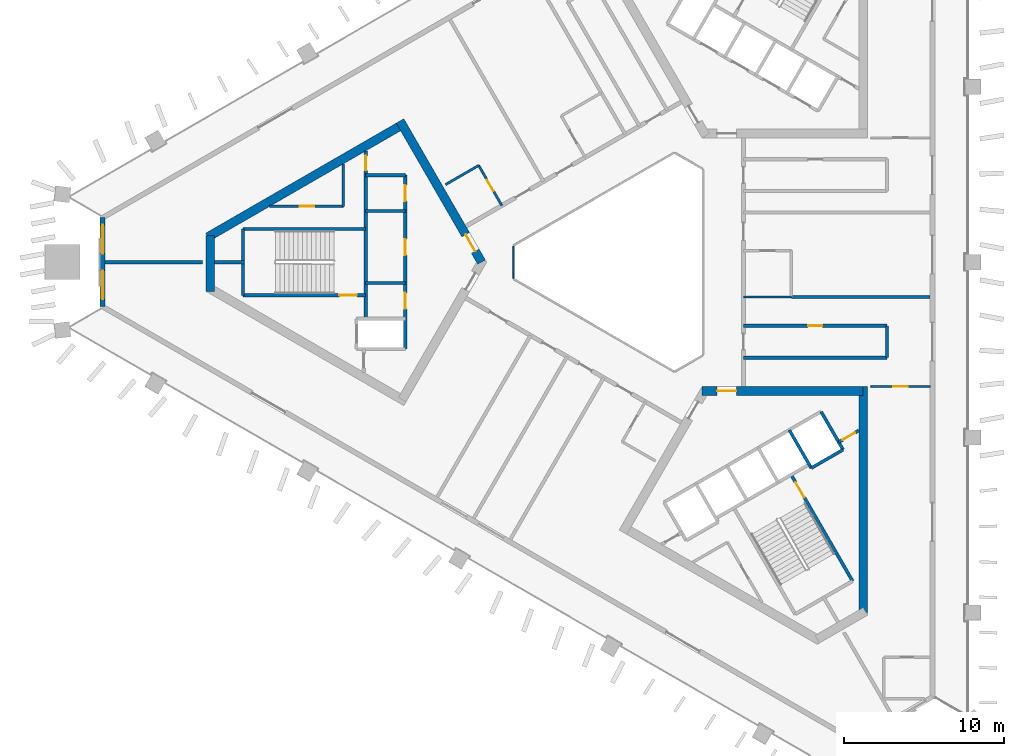
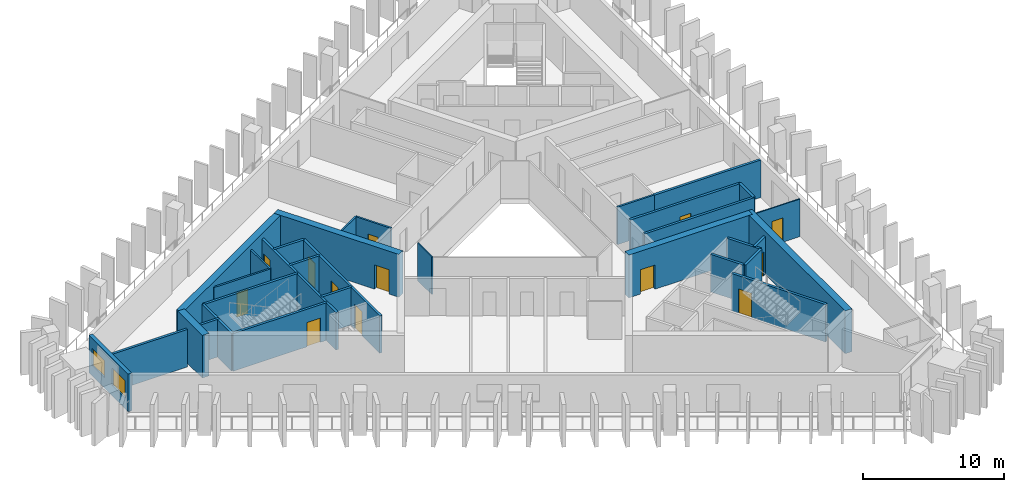
# One storey, part 3 of 10: 32 walls, 13 doors, 2 windows, 15 openings.
"""IFC4 building model written with IfcOpenShell, lengths in metres."""

from ifc_helpers import new_model, si_unit, direction, frame, frame_2d, origin, place, context, subcontext, project, spatial, rectangle, extrude, material, layer, layer_set, type_object, element, fill, save


model = new_model("IFC4")

# Units and contexts
model_context = context("Model", 3, precision=1e-05, world=origin(), true_north=direction((0.0, 1.0)))
body_context = subcontext(model_context, "Body", "Model", "MODEL_VIEW")
ifc_project = project(units=[si_unit("LENGTHUNIT", "METRE"), si_unit("AREAUNIT", "SQUARE_METRE"), si_unit("VOLUMEUNIT", "CUBIC_METRE"), si_unit("PLANEANGLEUNIT", "RADIAN"), si_unit("MASSUNIT", "GRAM", prefix="KILO")], contexts=[model_context])

# Site, building, storey
site_placement = place(None, origin())
site = spatial("IfcSite", under=ifc_project, at=site_placement, CompositionType="ELEMENT")
building_placement = place(site_placement, origin())
building = spatial("IfcBuilding", under=site, at=building_placement, Name="Jabali Bay Hotel Tower and Convention Centre", CompositionType="ELEMENT")
storey_placement = place(building_placement, frame((0.0, 0.0, 156.300048828125)))
storey = spatial("IfcBuildingStorey", under=building, at=storey_placement, Name="L37", CompositionType="ELEMENT", Elevation=156.300048828125)

# Walls
ifc_material_1 = material(Name="Fire-resistant glazing", Category="glass")
ifc_layer_1 = layer(ifc_material_1, 0.10009765625)
ifc_layer_set_1 = layer_set([ifc_layer_1], Name="Fire-resistant glazing")
wall_type_1 = type_object("IfcWallType", Name="Atrium glazed screen 100", PredefinedType="PARTITIONING", material=ifc_layer_set_1)
wall_1_placement = place(storey_placement, frame((67.672119140625, 81.0, 0.0), z_axis=(0.0, 0.0, 1.0), x_axis=(0.0, -1.0, 0.0)))
element("IfcWall", 1, at=wall_1_placement, inside=storey, type_object=wall_type_1, Name="Atrium screen 4 L37", PredefinedType="PARTITIONING", context=body_context, shape_type="SweptSolid", body=[
    extrude(rectangle(XDim=2.0, YDim=0.10009765625, at=frame_2d((1.0, 0.0))), origin(), (0.0, 0.0, 1.0), 3.25),
])
ifc_material_2 = material(Name="Concrete C40", Category="concrete")
ifc_layer_2 = layer(ifc_material_2, 0.199951171875)
ifc_layer_set_2 = layer_set([ifc_layer_2], Name="Concrete C40")
wall_type_2 = type_object("IfcWallType", Name="Core partition wall 200", PredefinedType="PARTITIONING", material=ifc_layer_set_2)
wall_2_placement = place(storey_placement, frame((50.820068359375, 80.0, 0.0), z_axis=(0.0, 0.0, 1.0), x_axis=(-1.0, 0.0, 0.0)))
element("IfcWall", 2, at=wall_2_placement, inside=storey, type_object=wall_type_2, Name="Core wall 0.4 L37", PredefinedType="PARTITIONING", context=body_context, shape_type="SweptSolid", body=[
    extrude(rectangle(XDim=1.873046875, YDim=0.199951171875, at=frame_2d((0.9365234375, 0.0))), origin(), (0.0, 0.0, 1.0), 3.25),
])

# Wall, opening, door
wall_3_placement = place(storey_placement, frame((88.064697265625, 68.72119140625, 0.0), z_axis=(0.0, 0.0, 1.0), x_axis=(0.865982457891, 0.500074377092, 0.0)))
wall_3 = element("IfcWall", 3, at=wall_3_placement, inside=storey, type_object=wall_type_2, Name="Core wall 2.12 L37", PredefinedType="PARTITIONING", context=body_context, shape_type="SweptSolid", body=[
    extrude(rectangle(XDim=1.461181640625, YDim=0.199951171875, at=frame_2d((0.73046875, 0.0))), origin(), (0.0, 0.0, 1.0), 3.25),
])
opening_1_placement = place(wall_3_placement, frame((0.280517578125, 0.0, 0.0)))
opening_1 = element("IfcOpeningElement", 4, at=opening_1_placement, cuts=wall_3, Name="Opening D820", PredefinedType="OPENING", context=body_context, shape_type="SweptSolid", body=[
    extrude(rectangle(XDim=0.89990234375, YDim=2.10009765625, at=frame_2d((0.449951171875, 1.050048828125))), frame((0.0, 0.1103515625, 0.0), z_axis=(0.0, -1.0, 0.0), x_axis=(1.0, 0.0, 0.0)), (0.0, 0.0, 1.0), 0.220947265625),
])
ifc_material_3 = material(Name="Fire-rated steel door", Category="steel")
door_type_1 = type_object("IfcDoorType", Name="Vestibule fire door 900 x 2100", OperationType="NOTDEFINED", PredefinedType="NOTDEFINED", material=ifc_material_3)
door_1_placement = place(opening_1_placement, origin())
door_1 = element("IfcDoor", 5, at=door_1_placement, inside=storey, type_object=door_type_1, Name="Vestibule fire door D820", OperationType="SINGLE_SWING_LEFT", OverallHeight=2.10009765625, OverallWidth=0.89990234375, PredefinedType="NOTDEFINED", context=body_context, shape_type="SweptSolid", body=[
    extrude(rectangle(XDim=0.89990234375, YDim=2.10009765625, at=frame_2d((0.449951171875, 1.050048828125))), frame((0.0, 0.02490234375, 0.0), z_axis=(0.0, -1.0, 0.0), x_axis=(1.0, 0.0, 0.0)), (0.0, 0.0, 1.0), 0.050048828125),
])
fill(opening_1, door_1)

ifc_material_4 = material(Name="Fire-rated board partition")
ifc_layer_3 = layer(ifc_material_4, 0.14990234375)
ifc_layer_set_3 = layer_set([ifc_layer_3], Name="Fire-rated board partition")
wall_type_3 = type_object("IfcWallType", Name="Core room partition 150", PredefinedType="PARTITIONING", material=ifc_layer_set_3)
wall_4_placement = place(storey_placement, frame((57.02001953125, 83.5, 0.0), z_axis=(0.0, 0.0, 1.0), x_axis=(-1.0, 0.0, 0.0)))
wall_4 = element("IfcWall", 6, at=wall_4_placement, inside=storey, type_object=wall_type_3, Name="Core wall 0.1 L37", PredefinedType="PARTITIONING", context=body_context, shape_type="SweptSolid", body=[
    extrude(rectangle(XDim=4.617919921875, YDim=0.14990234375, at=frame_2d((2.30908203125, 0.0))), origin(), (0.0, 0.0, 1.0), 3.25),
])
opening_2_placement = place(wall_4_placement, frame((1.83154296875, 0.0, 0.0)))
opening_2 = element("IfcOpeningElement", 7, at=opening_2_placement, cuts=wall_4, Name="Opening D811", PredefinedType="OPENING", context=body_context, shape_type="SweptSolid", body=[
    extrude(rectangle(XDim=0.89990234375, YDim=2.10009765625, at=frame_2d((0.449951171875, 1.050048828125))), frame((0.0, 0.08544921875, 0.0), z_axis=(0.0, -1.0, 0.0), x_axis=(1.0, 0.0, 0.0)), (0.0, 0.0, 1.0), 0.1708984375),
])
door_type_2 = type_object("IfcDoorType", Name="Core room door 900 x 2100", OperationType="NOTDEFINED", PredefinedType="NOTDEFINED", material=ifc_material_3)
door_2_placement = place(opening_2_placement, origin())
door_2 = element("IfcDoor", 8, at=door_2_placement, inside=storey, type_object=door_type_2, Name="Core room door D811", OperationType="SINGLE_SWING_LEFT", OverallHeight=2.10009765625, OverallWidth=0.89990234375, PredefinedType="NOTDEFINED", context=body_context, shape_type="SweptSolid", body=[
    extrude(rectangle(XDim=0.89990234375, YDim=2.10009765625, at=frame_2d((0.449951171875, 1.050048828125))), frame((0.0, 0.02490234375, 0.0), z_axis=(0.0, -1.0, 0.0), x_axis=(1.0, 0.0, 0.0)), (0.0, 0.0, 1.0), 0.050048828125),
])
fill(opening_2, door_2)

# Walls
wall_5_placement = place(storey_placement, frame((57.02001953125, 86.166015625, 0.0), z_axis=(0.0, 0.0, 1.0), x_axis=(0.0, -1.0, 0.0)))
element("IfcWall", 9, at=wall_5_placement, inside=storey, type_object=wall_type_3, Name="Core wall 0.13 L37", PredefinedType="PARTITIONING", context=body_context, shape_type="SweptSolid", body=[
    extrude(rectangle(XDim=2.666015625, YDim=0.14990234375, at=frame_2d((1.3330078125, 0.0))), origin(), (0.0, 0.0, 1.0), 3.25),
])
ifc_layer_4 = layer(ifc_material_2, 0.199951171875)
ifc_layer_set_4 = layer_set([ifc_layer_4], Name="Concrete C40")
wall_type_4 = type_object("IfcWallType", Name="Core stair wall 200", PredefinedType="SOLIDWALL", material=ifc_layer_set_4)
for number, where, z_axis, x_axis, name in (
    (10, (60.89990234375, 85.449951171875, 0.0), (0.0, 0.0, 1.0), (-1.0, 0.0, 0.0), "Core wall 0.0 L37"),
    (11, (60.89990234375, 83.199951171875, 0.0), (0.0, 0.0, 1.0), (-1.0, 0.0, 0.0), "Core wall 0.2 L37"),
):
    element("IfcWall", number, at=place(storey_placement, frame(where, z_axis=z_axis, x_axis=x_axis)), inside=storey, type_object=wall_type_4, Name=name, PredefinedType="SOLIDWALL", context=body_context, shape_type="SweptSolid", body=[
        extrude(rectangle(XDim=2.47998046875, YDim=0.199951171875, at=frame_2d((1.239990234375, 0.0))), origin(), (0.0, 0.0, 1.0), 3.25),
    ])
wall_6_placement = place(storey_placement, frame((58.419921875, 82.074951171875, 0.0), z_axis=(0.0, 0.0, 1.0), x_axis=(-1.0, 0.0, 0.0)))
element("IfcWall", 12, at=wall_6_placement, inside=storey, type_object=wall_type_4, Name="Core wall 0.3 L37", PredefinedType="SOLIDWALL", context=body_context, shape_type="SweptSolid", body=[
    extrude(rectangle(XDim=7.699951171875, YDim=0.199951171875, at=frame_2d((3.85009765625, 0.0))), origin(), (0.0, 0.0, 1.0), 3.25),
])
wall_7_placement = place(storey_placement, frame((60.89990234375, 78.699951171875, 0.0), z_axis=(0.0, 0.0, 1.0), x_axis=(-1.0, 0.0, 0.0)))
element("IfcWall", 13, at=wall_7_placement, inside=storey, type_object=wall_type_4, Name="Core wall 0.5 L37", PredefinedType="SOLIDWALL", context=body_context, shape_type="SweptSolid", body=[
    extrude(rectangle(XDim=2.47998046875, YDim=0.199951171875, at=frame_2d((1.239990234375, 0.0))), origin(), (0.0, 0.0, 1.0), 3.25),
])

# Wall, opening, door
wall_8_placement = place(storey_placement, frame((58.419921875, 77.925048828125, 0.0), z_axis=(0.0, 0.0, 1.0), x_axis=(-1.0, 0.0, 0.0)))
wall_8 = element("IfcWall", 14, at=wall_8_placement, inside=storey, type_object=wall_type_4, Name="Core wall 0.6 L37", PredefinedType="SOLIDWALL", context=body_context, shape_type="SweptSolid", body=[
    extrude(rectangle(XDim=7.699951171875, YDim=0.199951171875, at=frame_2d((3.85009765625, 0.0))), origin(), (0.0, 0.0, 1.0), 3.25),
])
opening_3_placement = place(wall_8_placement, frame((0.550048828125, 0.0, 0.0)))
opening_3 = element("IfcOpeningElement", 15, at=opening_3_placement, cuts=wall_8, Name="Opening D810", PredefinedType="OPENING", context=body_context, shape_type="SweptSolid", body=[
    extrude(rectangle(XDim=1.10009765625, YDim=2.10009765625, at=frame_2d((0.550048828125, 1.050048828125))), frame((0.0, 0.1103515625, 0.0), z_axis=(0.0, -1.0, 0.0), x_axis=(1.0, 0.0, 0.0)), (0.0, 0.0, 1.0), 0.220947265625),
])
door_type_3 = type_object("IfcDoorType", Name="Stair fire door 1100 x 2100", OperationType="NOTDEFINED", PredefinedType="NOTDEFINED", material=ifc_material_3)
door_3_placement = place(opening_3_placement, origin())
door_3 = element("IfcDoor", 16, at=door_3_placement, inside=storey, type_object=door_type_3, Name="Stair fire door D810", OperationType="SINGLE_SWING_RIGHT", OverallHeight=2.10009765625, OverallWidth=1.10009765625, PredefinedType="NOTDEFINED", context=body_context, shape_type="SweptSolid", body=[
    extrude(rectangle(XDim=1.10009765625, YDim=2.10009765625, at=frame_2d((0.550048828125, 1.050048828125))), frame((0.0, 0.02490234375, 0.0), z_axis=(0.0, -1.0, 0.0), x_axis=(1.0, 0.0, 0.0)), (0.0, 0.0, 1.0), 0.050048828125),
])
fill(opening_3, door_3)

# Wall, openings, doors
wall_9_placement = place(storey_placement, frame((60.89990234375, 85.449951171875, 0.0), z_axis=(0.0, 0.0, 1.0), x_axis=(0.0, -1.0, 0.0)))
wall_9 = element("IfcWall", 17, at=wall_9_placement, inside=storey, type_object=wall_type_4, Name="Core wall 0.9 L37", PredefinedType="SOLIDWALL", context=body_context, shape_type="SweptSolid", body=[
    extrude(rectangle(XDim=10.89990234375, YDim=0.199951171875, at=frame_2d((5.449951171875, 0.0))), origin(), (0.0, 0.0, 1.0), 3.25),
])
opening_4_placement = place(wall_9_placement, frame((0.625, 0.0, 0.0)))
opening_4 = element("IfcOpeningElement", 18, at=opening_4_placement, cuts=wall_9, Name="Opening D805", PredefinedType="OPENING", context=body_context, shape_type="SweptSolid", body=[
    extrude(rectangle(XDim=1.0, YDim=2.10009765625, at=frame_2d((0.5, 1.050048828125))), frame((0.0, 0.1103515625, 0.0), z_axis=(0.0, -1.0, 0.0), x_axis=(1.0, 0.0, 0.0)), (0.0, 0.0, 1.0), 0.220947265625),
])
opening_5_placement = place(wall_9_placement, frame((4.0, 0.0, 0.0)))
opening_5 = element("IfcOpeningElement", 19, at=opening_5_placement, cuts=wall_9, Name="Opening D806", PredefinedType="OPENING", context=body_context, shape_type="SweptSolid", body=[
    extrude(rectangle(XDim=1.0, YDim=2.10009765625, at=frame_2d((0.5, 1.050048828125))), frame((0.0, 0.1103515625, 0.0), z_axis=(0.0, -1.0, 0.0), x_axis=(1.0, 0.0, 0.0)), (0.0, 0.0, 1.0), 0.220947265625),
])
opening_6_placement = place(wall_9_placement, frame((7.375, 0.0, 0.0)))
opening_6 = element("IfcOpeningElement", 20, at=opening_6_placement, cuts=wall_9, Name="Opening D807", PredefinedType="OPENING", context=body_context, shape_type="SweptSolid", body=[
    extrude(rectangle(XDim=1.0, YDim=2.10009765625, at=frame_2d((0.5, 1.050048828125))), frame((0.0, 0.1103515625, 0.0), z_axis=(0.0, -1.0, 0.0), x_axis=(1.0, 0.0, 0.0)), (0.0, 0.0, 1.0), 0.220947265625),
])
door_type_4 = type_object("IfcDoorType", Name="Core room door 1000 x 2100", OperationType="NOTDEFINED", PredefinedType="NOTDEFINED", material=ifc_material_3)
door_4_placement = place(opening_4_placement, origin())
door_4 = element("IfcDoor", 21, at=door_4_placement, inside=storey, type_object=door_type_4, Name="Core room door D805", OperationType="SINGLE_SWING_RIGHT", OverallHeight=2.10009765625, OverallWidth=1.0, PredefinedType="NOTDEFINED", context=body_context, shape_type="SweptSolid", body=[
    extrude(rectangle(XDim=1.0, YDim=2.10009765625, at=frame_2d((0.5, 1.050048828125))), frame((0.0, 0.02490234375, 0.0), z_axis=(0.0, -1.0, 0.0), x_axis=(1.0, 0.0, 0.0)), (0.0, 0.0, 1.0), 0.050048828125),
])
fill(opening_4, door_4)
door_5_placement = place(opening_5_placement, origin())
door_5 = element("IfcDoor", 22, at=door_5_placement, inside=storey, type_object=door_type_4, Name="Core room door D806", OperationType="SINGLE_SWING_RIGHT", OverallHeight=2.10009765625, OverallWidth=1.0, PredefinedType="NOTDEFINED", context=body_context, shape_type="SweptSolid", body=[
    extrude(rectangle(XDim=1.0, YDim=2.10009765625, at=frame_2d((0.5, 1.050048828125))), frame((0.0, 0.02490234375, 0.0), z_axis=(0.0, -1.0, 0.0), x_axis=(1.0, 0.0, 0.0)), (0.0, 0.0, 1.0), 0.050048828125),
])
fill(opening_5, door_5)
door_6_placement = place(opening_6_placement, origin())
door_6 = element("IfcDoor", 23, at=door_6_placement, inside=storey, type_object=door_type_4, Name="Core room door D807", OperationType="SINGLE_SWING_RIGHT", OverallHeight=2.10009765625, OverallWidth=1.0, PredefinedType="NOTDEFINED", context=body_context, shape_type="SweptSolid", body=[
    extrude(rectangle(XDim=1.0, YDim=2.10009765625, at=frame_2d((0.5, 1.050048828125))), frame((0.0, 0.02490234375, 0.0), z_axis=(0.0, -1.0, 0.0), x_axis=(1.0, 0.0, 0.0)), (0.0, 0.0, 1.0), 0.050048828125),
])
fill(opening_6, door_6)

# Wall, opening, door
wall_10_placement = place(storey_placement, frame((58.419921875, 86.974365234375, 0.0), z_axis=(0.0, 0.0, 1.0), x_axis=(0.0, -1.0, 0.0)))
wall_10 = element("IfcWall", 24, at=wall_10_placement, inside=storey, type_object=wall_type_4, Name="Core wall 0.10 L37", PredefinedType="SOLIDWALL", context=body_context, shape_type="SweptSolid", body=[
    extrude(rectangle(XDim=10.5244140625, YDim=0.199951171875, at=frame_2d((5.26220703125, 0.0))), origin(), (0.0, 0.0, 1.0), 3.25),
])
opening_7_placement = place(wall_10_placement, frame((0.312255859375, 0.0, 0.0)))
opening_7 = element("IfcOpeningElement", 25, at=opening_7_placement, cuts=wall_10, Name="Opening D809", PredefinedType="OPENING", context=body_context, shape_type="SweptSolid", body=[
    extrude(rectangle(XDim=0.89990234375, YDim=2.10009765625, at=frame_2d((0.449951171875, 1.050048828125))), frame((0.0, 0.1103515625, 0.0), z_axis=(0.0, -1.0, 0.0), x_axis=(1.0, 0.0, 0.0)), (0.0, 0.0, 1.0), 0.220947265625),
])
door_7_placement = place(opening_7_placement, origin())
door_7 = element("IfcDoor", 26, at=door_7_placement, inside=storey, type_object=door_type_1, Name="Vestibule fire door D809", OperationType="SINGLE_SWING_LEFT", OverallHeight=2.10009765625, OverallWidth=0.89990234375, PredefinedType="NOTDEFINED", context=body_context, shape_type="SweptSolid", body=[
    extrude(rectangle(XDim=0.89990234375, YDim=2.10009765625, at=frame_2d((0.449951171875, 1.050048828125))), frame((0.0, 0.02490234375, 0.0), z_axis=(0.0, -1.0, 0.0), x_axis=(1.0, 0.0, 0.0)), (0.0, 0.0, 1.0), 0.050048828125),
])
fill(opening_7, door_7)

# Wall
wall_11_placement = place(storey_placement, frame((50.719970703125, 82.074951171875, 0.0), z_axis=(0.0, 0.0, 1.0), x_axis=(0.0, -1.0, 0.0)))
element("IfcWall", 27, at=wall_11_placement, inside=storey, type_object=wall_type_4, Name="Core wall 0.14 L37", PredefinedType="SOLIDWALL", context=body_context, shape_type="SweptSolid", body=[
    extrude(rectangle(XDim=4.14990234375, YDim=0.199951171875, at=frame_2d((2.074951171875, 0.0))), origin(), (0.0, 0.0, 1.0), 3.25),
])

# Wall, opening, door
wall_12_placement = place(storey_placement, frame((85.0869140625, 66.6787109375, 0.0), z_axis=(0.0, 0.0, 1.0), x_axis=(0.500019787375, -0.866013979237, 0.0)))
wall_12 = element("IfcWall", 28, at=wall_12_placement, inside=storey, type_object=wall_type_4, Name="Core wall 2.7 L37", PredefinedType="SOLIDWALL", context=body_context, shape_type="SweptSolid", body=[
    extrude(rectangle(XDim=7.699951171875, YDim=0.199951171875, at=frame_2d((3.85009765625, 0.0))), origin(), (0.0, 0.0, 1.0), 3.25),
])
opening_8_placement = place(wall_12_placement, frame((0.550048828125, 0.0, 0.0)))
opening_8 = element("IfcOpeningElement", 29, at=opening_8_placement, cuts=wall_12, Name="Opening D822", PredefinedType="OPENING", context=body_context, shape_type="SweptSolid", body=[
    extrude(rectangle(XDim=1.10009765625, YDim=2.10009765625, at=frame_2d((0.550048828125, 1.050048828125))), frame((0.0, 0.1103515625, 0.0), z_axis=(0.0, -1.0, 0.0), x_axis=(1.0, 0.0, 0.0)), (0.0, 0.0, 1.0), 0.220947265625),
])
door_8_placement = place(opening_8_placement, origin())
door_8 = element("IfcDoor", 30, at=door_8_placement, inside=storey, type_object=door_type_3, Name="Stair fire door D822", OperationType="SINGLE_SWING_RIGHT", OverallHeight=2.10009765625, OverallWidth=1.10009765625, PredefinedType="NOTDEFINED", context=body_context, shape_type="SweptSolid", body=[
    extrude(rectangle(XDim=1.10009765625, YDim=2.10009765625, at=frame_2d((0.550048828125, 1.050048828125))), frame((0.0, 0.02490234375, 0.0), z_axis=(0.0, -1.0, 0.0), x_axis=(1.0, 0.0, 0.0)), (0.0, 0.0, 1.0), 0.050048828125),
])
fill(opening_8, door_8)

# Walls
for number, where, z_axis, x_axis, name in (
    (31, (84.972900390625, 69.4765625, 0.0), (0.0, 0.0, 1.0), (0.499996545922, -0.866027397988, 0.0), "Core wall 2.8 L37"),
    (32, (86.964599609375, 70.62646484375, 0.0), (0.0, 0.0, 1.0), (0.499996545922, -0.866027397988, 0.0), "Core wall 2.9 L37"),
):
    element("IfcWall", number, at=place(storey_placement, frame(where, z_axis=z_axis, x_axis=x_axis)), inside=storey, type_object=wall_type_4, Name=name, PredefinedType="SOLIDWALL", context=body_context, shape_type="SweptSolid", body=[
        extrude(rectangle(XDim=2.75, YDim=0.199951171875, at=frame_2d((1.375, 0.0))), origin(), (0.0, 0.0, 1.0), 3.25),
    ])
wall_13_placement = place(storey_placement, frame((86.347900390625, 67.094970703125, 0.0), z_axis=(0.0, 0.0, 1.0), x_axis=(0.86602648383, 0.499998129301, 0.0)))
element("IfcWall", 33, at=wall_13_placement, inside=storey, type_object=wall_type_4, Name="Core wall 2.15 L37", PredefinedType="SOLIDWALL", context=body_context, shape_type="SweptSolid", body=[
    extrude(rectangle(XDim=2.2998046875, YDim=0.199951171875, at=frame_2d((1.14990234375, 0.0))), origin(), (0.0, 0.0, 1.0), 3.25),
])

# Wall, opening, door
ifc_material_5 = material(Name="Concrete C60", Category="concrete")
ifc_layer_5 = layer(ifc_material_5, 0.550048828125)
ifc_layer_set_5 = layer_set([ifc_layer_5], Name="Concrete C60")
wall_type_5 = type_object("IfcWallType", Name="Core wall 550", PredefinedType="SHEAR", material=ifc_layer_set_5)
wall_14_placement = place(storey_placement, frame((65.682373046875, 80.0, 0.0), z_axis=(0.0, 0.0, 1.0), x_axis=(-0.500000202252, 0.866025287014, 0.0)))
wall_14 = element("IfcWall", 34, at=wall_14_placement, inside=storey, type_object=wall_type_5, Name="Core wall 1.1 L37", PredefinedType="SHEAR", context=body_context, shape_type="SweptSolid", body=[
    extrude(rectangle(XDim=10.22119140625, YDim=0.550048828125, at=frame_2d((5.110595703125, 0.0))), origin(), (0.0, 0.0, 1.0), 3.699951171875),
])
opening_9_placement = place(wall_14_placement, frame((0.791259765625, 0.0, 0.0)))
opening_9 = element("IfcOpeningElement", 35, at=opening_9_placement, cuts=wall_14, Name="Opening D803", PredefinedType="OPENING", context=body_context, shape_type="SweptSolid", body=[
    extrude(rectangle(XDim=1.199951171875, YDim=2.10009765625, at=frame_2d((0.60009765625, 1.050048828125))), frame((0.0, 0.28564453125, 0.0), z_axis=(0.0, -1.0, 0.0), x_axis=(1.0, 0.0, 0.0)), (0.0, 0.0, 1.0), 0.571044921875),
])
door_type_5 = type_object("IfcDoorType", Name="Corridor end fire door 1200 x 2100", OperationType="NOTDEFINED", PredefinedType="NOTDEFINED", material=ifc_material_3)
door_9_placement = place(opening_9_placement, origin())
door_9 = element("IfcDoor", 36, at=door_9_placement, inside=storey, type_object=door_type_5, Name="Corridor end fire door D803", OperationType="SINGLE_SWING_RIGHT", OverallHeight=2.10009765625, OverallWidth=1.199951171875, PredefinedType="NOTDEFINED", context=body_context, shape_type="SweptSolid", body=[
    extrude(rectangle(XDim=1.199951171875, YDim=2.10009765625, at=frame_2d((0.60009765625, 1.050048828125))), frame((0.0, 0.02490234375, 0.0), z_axis=(0.0, -1.0, 0.0), x_axis=(1.0, 0.0, 0.0)), (0.0, 0.0, 1.0), 0.050048828125),
])
fill(opening_9, door_9)

# Walls
wall_15_placement = place(storey_placement, frame((60.709228515625, 88.61376953125, 0.0), z_axis=(0.0, 0.0, 1.0), x_axis=(-0.866020164116, -0.500009075263, 0.0)))
element("IfcWall", 37, at=wall_15_placement, inside=storey, type_object=wall_type_5, Name="Core wall 1.2 L37", PredefinedType="SHEAR", context=body_context, shape_type="SweptSolid", body=[
    extrude(rectangle(XDim=14.058349609375, YDim=0.550048828125, at=frame_2d((7.029296875, 0.0))), origin(), (0.0, 0.0, 1.0), 3.699951171875),
])
wall_16_placement = place(storey_placement, frame((48.671875, 81.663818359375, 0.0), z_axis=(0.0, 0.0, 1.0), x_axis=(0.0, -1.0, 0.0)))
element("IfcWall", 38, at=wall_16_placement, inside=storey, type_object=wall_type_5, Name="Core wall 1.3 L37", PredefinedType="SHEAR", context=body_context, shape_type="SweptSolid", body=[
    extrude(rectangle(XDim=3.486572265625, YDim=0.550048828125, at=frame_2d((1.7431640625, 0.0))), origin(), (0.0, 0.0, 1.0), 3.699951171875),
])
wall_17_placement = place(storey_placement, frame((89.60498046875, 58.03125, 0.0), z_axis=(0.0, 0.0, 1.0), x_axis=(0.0, 1.0, 0.0)))
element("IfcWall", 39, at=wall_17_placement, inside=storey, type_object=wall_type_5, Name="Core wall 3.4 L37", PredefinedType="SHEAR", context=body_context, shape_type="SweptSolid", body=[
    extrude(rectangle(XDim=14.174560546875, YDim=0.550048828125, at=frame_2d((7.08740234375, 0.0))), origin(), (0.0, 0.0, 1.0), 3.699951171875),
])

# Wall, opening, door
wall_18_placement = place(storey_placement, frame((89.60498046875, 71.9306640625, 0.0), z_axis=(0.0, 0.0, 1.0), x_axis=(-1.0, 0.0, 0.0)))
wall_18 = element("IfcWall", 40, at=wall_18_placement, inside=storey, type_object=wall_type_5, Name="Core wall 3.5 L37", PredefinedType="SHEAR", context=body_context, shape_type="SweptSolid", body=[
    extrude(rectangle(XDim=10.10498046875, YDim=0.550048828125, at=frame_2d((5.052490234375, 0.0))), origin(), (0.0, 0.0, 1.0), 3.699951171875),
])
opening_10_placement = place(wall_18_placement, frame((7.955078125, 0.0, 0.0)))
opening_10 = element("IfcOpeningElement", 41, at=opening_10_placement, cuts=wall_18, Name="Opening D819", PredefinedType="OPENING", context=body_context, shape_type="SweptSolid", body=[
    extrude(rectangle(XDim=1.199951171875, YDim=2.10009765625, at=frame_2d((0.60009765625, 1.050048828125))), frame((0.0, 0.28564453125, 0.0), z_axis=(0.0, -1.0, 0.0), x_axis=(1.0, 0.0, 0.0)), (0.0, 0.0, 1.0), 0.571044921875),
])
door_10_placement = place(opening_10_placement, origin())
door_10 = element("IfcDoor", 42, at=door_10_placement, inside=storey, type_object=door_type_5, Name="Corridor end fire door D819", OperationType="SINGLE_SWING_LEFT", OverallHeight=2.10009765625, OverallWidth=1.199951171875, PredefinedType="NOTDEFINED", context=body_context, shape_type="SweptSolid", body=[
    extrude(rectangle(XDim=1.199951171875, YDim=2.10009765625, at=frame_2d((0.60009765625, 1.050048828125))), frame((0.0, 0.02490234375, 0.0), z_axis=(0.0, -1.0, 0.0), x_axis=(1.0, 0.0, 0.0)), (0.0, 0.0, 1.0), 0.050048828125),
])
fill(opening_10, door_10)

# Wall, openings, windows
ifc_layer_6 = layer(ifc_material_2, 0.300048828125)
ifc_layer_set_6 = layer_set([ifc_layer_6], Name="Concrete C40")
wall_type_6 = type_object("IfcWallType", Name="External wall 300", PredefinedType="SOLIDWALL", material=ifc_layer_set_6)
wall_19_placement = place(storey_placement, frame((41.92822265625, 77.212158203125, 0.0), z_axis=(0.0, 0.0, 1.0), x_axis=(0.0, 1.0, 0.0)))
wall_19 = element("IfcWall", 43, at=wall_19_placement, inside=storey, type_object=wall_type_6, Name="External wall west chamfer L37", PredefinedType="SOLIDWALL", context=body_context, shape_type="SweptSolid", body=[
    extrude(rectangle(XDim=5.57568359375, YDim=0.300048828125, at=frame_2d((2.787841796875, 0.0))), origin(), (0.0, 0.0, 1.0), 3.25),
])
opening_11_placement = place(wall_19_placement, frame((0.451171875, 0.0, 0.89990234375)))
opening_11 = element("IfcOpeningElement", 44, at=opening_11_placement, cuts=wall_19, Name="Opening W1", PredefinedType="OPENING", context=body_context, shape_type="SweptSolid", body=[
    extrude(rectangle(XDim=1.800048828125, YDim=1.5, at=frame_2d((0.89990234375, 0.75))), frame((0.0, 0.16064453125, 0.0), z_axis=(0.0, -1.0, 0.0), x_axis=(1.0, 0.0, 0.0)), (0.0, 0.0, 1.0), 0.321044921875),
])
opening_12_placement = place(wall_19_placement, frame((3.324462890625, 0.0, 0.89990234375)))
opening_12 = element("IfcOpeningElement", 45, at=opening_12_placement, cuts=wall_19, Name="Opening W1", PredefinedType="OPENING", context=body_context, shape_type="SweptSolid", body=[
    extrude(rectangle(XDim=1.800048828125, YDim=1.5, at=frame_2d((0.89990234375, 0.75))), frame((0.0, 0.16064453125, 0.0), z_axis=(0.0, -1.0, 0.0), x_axis=(1.0, 0.0, 0.0)), (0.0, 0.0, 1.0), 0.321044921875),
])
ifc_material_6 = material(Name="Glass", Category="glass")
window_type = type_object("IfcWindowType", Name="Window 1800 x 1500", PartitioningType="SINGLE_PANEL", PredefinedType="WINDOW", material=ifc_material_6)
window_1_placement = place(opening_11_placement, origin())
window_1 = element("IfcWindow", 46, at=window_1_placement, inside=storey, type_object=window_type, Name="Window 3710", OverallHeight=1.5, OverallWidth=1.800048828125, PartitioningType="SINGLE_PANEL", PredefinedType="WINDOW", context=body_context, shape_type="SweptSolid", body=[
    extrude(rectangle(XDim=1.800048828125, YDim=1.5, at=frame_2d((0.89990234375, 0.75))), frame((0.0, 0.030029296875, 0.0), z_axis=(0.0, -1.0, 0.0), x_axis=(1.0, 0.0, 0.0)), (0.0, 0.0, 1.0), 0.06005859375),
])
fill(opening_11, window_1)
window_2_placement = place(opening_12_placement, origin())
window_2 = element("IfcWindow", 47, at=window_2_placement, inside=storey, type_object=window_type, Name="Window 3709", OverallHeight=1.5, OverallWidth=1.800048828125, PartitioningType="SINGLE_PANEL", PredefinedType="WINDOW", context=body_context, shape_type="SweptSolid", body=[
    extrude(rectangle(XDim=1.800048828125, YDim=1.5, at=frame_2d((0.89990234375, 0.75))), frame((0.0, 0.030029296875, 0.0), z_axis=(0.0, -1.0, 0.0), x_axis=(1.0, 0.0, 0.0)), (0.0, 0.0, 1.0), 0.06005859375),
])
fill(opening_12, window_2)

# Wall, opening, door
ifc_material_7 = material(Name="Plasterboard on steel stud", Category="steel")
ifc_layer_7 = layer(ifc_material_7, 0.10009765625)
ifc_layer_set_7 = layer_set([ifc_layer_7], Name="Plasterboard on steel stud")
wall_type_7 = type_object("IfcWallType", Name="Partition 100 unit", PredefinedType="PARTITIONING", material=ifc_layer_set_7)
wall_20_placement = place(storey_placement, frame((90.0791015625, 72.205810546875, 0.0), z_axis=(0.0, 0.0, 1.0), x_axis=(1.0, 0.0, 0.0)))
wall_20 = element("IfcWall", 48, at=wall_20_placement, inside=storey, type_object=wall_type_7, Name="Partition P02 L37 001", PredefinedType="PARTITIONING", context=body_context, shape_type="SweptSolid", body=[
    extrude(rectangle(XDim=3.721923828125, YDim=0.10009765625, at=frame_2d((1.86083984375, 0.0))), origin(), (0.0, 0.0, 1.0), 3.25),
])
opening_13_placement = place(wall_20_placement, frame((1.410888671875, 0.0, 0.0)))
opening_13 = element("IfcOpeningElement", 49, at=opening_13_placement, cuts=wall_20, Name="Opening 3702", PredefinedType="OPENING", context=body_context, shape_type="SweptSolid", body=[
    extrude(rectangle(XDim=0.89990234375, YDim=2.10009765625, at=frame_2d((0.449951171875, 1.050048828125))), frame((0.0, 0.060546875, 0.0), z_axis=(0.0, -1.0, 0.0), x_axis=(1.0, 0.0, 0.0)), (0.0, 0.0, 1.0), 0.12109375),
])
ifc_material_8 = material(Name="Timber", Category="wood")
door_type_6 = type_object("IfcDoorType", Name="Internal door 900 x 2100", OperationType="NOTDEFINED", PredefinedType="NOTDEFINED", material=ifc_material_8)
door_11_placement = place(opening_13_placement, origin())
door_11 = element("IfcDoor", 50, at=door_11_placement, inside=storey, type_object=door_type_6, Name="Door 3702", OperationType="SINGLE_SWING_LEFT", OverallHeight=2.10009765625, OverallWidth=0.89990234375, PredefinedType="NOTDEFINED", context=body_context, shape_type="SweptSolid", body=[
    extrude(rectangle(XDim=0.89990234375, YDim=2.10009765625, at=frame_2d((0.449951171875, 1.050048828125))), frame((0.0, 0.02490234375, 0.0), z_axis=(0.0, -1.0, 0.0), x_axis=(1.0, 0.0, 0.0)), (0.0, 0.0, 1.0), 0.050048828125),
])
fill(opening_13, door_11)

# Walls
ifc_layer_8 = layer(ifc_material_7, 0.14990234375)
ifc_layer_set_8 = layer_set([ifc_layer_8], Name="Plasterboard on steel stud")
wall_type_8 = type_object("IfcWallType", Name="Partition 150 wet", PredefinedType="PARTITIONING", material=ifc_layer_set_8)
wall_21_placement = place(storey_placement, frame((85.10009765625, 77.817626953125, 0.0), z_axis=(0.0, 0.0, 1.0), x_axis=(-1.0, 0.0, 0.0)))
element("IfcWall", 51, at=wall_21_placement, inside=storey, type_object=wall_type_8, Name="Partition P03 L37 006", PredefinedType="PARTITIONING", context=body_context, shape_type="SweptSolid", body=[
    extrude(rectangle(XDim=3.0, YDim=0.14990234375, at=frame_2d((1.5, 0.0))), origin(), (0.0, 0.0, 1.0), 3.25),
])
wall_22_placement = place(storey_placement, frame((63.42236328125, 84.862548828125, 0.0), z_axis=(0.0, 0.0, 1.0), x_axis=(0.865994240961, 0.500053971709, 0.0)))
element("IfcWall", 52, at=wall_22_placement, inside=storey, type_object=wall_type_8, Name="Partition P03 L37 033", PredefinedType="PARTITIONING", context=body_context, shape_type="SweptSolid", body=[
    extrude(rectangle(XDim=2.401123046875, YDim=0.14990234375, at=frame_2d((1.20068359375, 0.0))), origin(), (0.0, 0.0, 1.0), 3.25),
])

# Wall, opening, door
wall_23_placement = place(storey_placement, frame((65.501708984375, 86.063232421875, 0.0), z_axis=(0.0, 0.0, 1.0), x_axis=(0.499987231761, -0.866032775405, 0.0)))
wall_23 = element("IfcWall", 53, at=wall_23_placement, inside=storey, type_object=wall_type_8, Name="Partition P03 L37 034", PredefinedType="PARTITIONING", context=body_context, shape_type="SweptSolid", body=[
    extrude(rectangle(XDim=2.89990234375, YDim=0.14990234375, at=frame_2d((1.449951171875, 0.0))), origin(), (0.0, 0.0, 1.0), 3.25),
])
opening_14_placement = place(wall_23_placement, frame((1.050048828125, 0.0, 0.0)))
opening_14 = element("IfcOpeningElement", 54, at=opening_14_placement, cuts=wall_23, Name="Opening 3717", PredefinedType="OPENING", context=body_context, shape_type="SweptSolid", body=[
    extrude(rectangle(XDim=0.800048828125, YDim=2.10009765625, at=frame_2d((0.39990234375, 1.050048828125))), frame((0.0, 0.08544921875, 0.0), z_axis=(0.0, -1.0, 0.0), x_axis=(1.0, 0.0, 0.0)), (0.0, 0.0, 1.0), 0.1708984375),
])
door_type_7 = type_object("IfcDoorType", Name="En-suite door 800 x 2100", OperationType="NOTDEFINED", PredefinedType="NOTDEFINED", material=ifc_material_8)
door_12_placement = place(opening_14_placement, origin())
door_12 = element("IfcDoor", 55, at=door_12_placement, inside=storey, type_object=door_type_7, Name="Door 3717", OperationType="SINGLE_SWING_RIGHT", OverallHeight=2.10009765625, OverallWidth=0.800048828125, PredefinedType="NOTDEFINED", context=body_context, shape_type="SweptSolid", body=[
    extrude(rectangle(XDim=0.800048828125, YDim=2.10009765625, at=frame_2d((0.39990234375, 1.050048828125))), frame((0.0, 0.02490234375, 0.0), z_axis=(0.0, -1.0, 0.0), x_axis=(1.0, 0.0, 0.0)), (0.0, 0.0, 1.0), 0.050048828125),
])
fill(opening_14, door_12)

ifc_layer_9 = layer(ifc_material_7, 0.199951171875)
ifc_layer_set_9 = layer_set([ifc_layer_9], Name="Plasterboard on steel stud")
wall_type_9 = type_object("IfcWallType", Name="Partition 200 party", PredefinedType="PARTITIONING", material=ifc_layer_set_9)
wall_24_placement = place(storey_placement, frame((82.10009765625, 76.01171875, 0.0), z_axis=(0.0, 0.0, 1.0), x_axis=(1.0, 0.0, 0.0)))
wall_24 = element("IfcWall", 56, at=wall_24_placement, inside=storey, type_object=wall_type_9, Name="Partition P01 L37 002", PredefinedType="PARTITIONING", context=body_context, shape_type="SweptSolid", body=[
    extrude(rectangle(XDim=9.0, YDim=0.199951171875, at=frame_2d((4.5, 0.0))), origin(), (0.0, 0.0, 1.0), 3.25),
])
opening_15_placement = place(wall_24_placement, frame((4.050048828125, 0.0, 0.0)))
opening_15 = element("IfcOpeningElement", 57, at=opening_15_placement, cuts=wall_24, Name="Opening 3704", PredefinedType="OPENING", context=body_context, shape_type="SweptSolid", body=[
    extrude(rectangle(XDim=0.89990234375, YDim=2.10009765625, at=frame_2d((0.449951171875, 1.050048828125))), frame((0.0, 0.1103515625, 0.0), z_axis=(0.0, -1.0, 0.0), x_axis=(1.0, 0.0, 0.0)), (0.0, 0.0, 1.0), 0.220947265625),
])
door_13_placement = place(opening_15_placement, origin())
door_13 = element("IfcDoor", 58, at=door_13_placement, inside=storey, type_object=door_type_6, Name="Door 3704", OperationType="SINGLE_SWING_RIGHT", OverallHeight=2.10009765625, OverallWidth=0.89990234375, PredefinedType="NOTDEFINED", context=body_context, shape_type="SweptSolid", body=[
    extrude(rectangle(XDim=0.89990234375, YDim=2.10009765625, at=frame_2d((0.449951171875, 1.050048828125))), frame((0.0, 0.02490234375, 0.0), z_axis=(0.0, -1.0, 0.0), x_axis=(1.0, 0.0, 0.0)), (0.0, 0.0, 1.0), 0.050048828125),
])
fill(opening_15, door_13)

# Walls
wall_25_placement = place(storey_placement, frame((91.10009765625, 76.01171875, 0.0), z_axis=(0.0, 0.0, 1.0), x_axis=(0.0, -1.0, 0.0)))
element("IfcWall", 59, at=wall_25_placement, inside=storey, type_object=wall_type_9, Name="Partition P01 L37 003", PredefinedType="PARTITIONING", context=body_context, shape_type="SweptSolid", body=[
    extrude(rectangle(XDim=2.0, YDim=0.199951171875, at=frame_2d((1.0, 0.0))), origin(), (0.0, 0.0, 1.0), 3.25),
])
wall_26_placement = place(storey_placement, frame((91.10009765625, 74.01171875, 0.0), z_axis=(0.0, 0.0, 1.0), x_axis=(-1.0, 0.0, 0.0)))
element("IfcWall", 60, at=wall_26_placement, inside=storey, type_object=wall_type_9, Name="Partition P01 L37 004", PredefinedType="PARTITIONING", context=body_context, shape_type="SweptSolid", body=[
    extrude(rectangle(XDim=9.0, YDim=0.199951171875, at=frame_2d((4.5, 0.0))), origin(), (0.0, 0.0, 1.0), 3.25),
])
wall_27_placement = place(storey_placement, frame((93.801025390625, 77.817626953125, 0.0), z_axis=(0.0, 0.0, 1.0), x_axis=(-1.0, 0.0, 0.0)))
element("IfcWall", 61, at=wall_27_placement, inside=storey, type_object=wall_type_9, Name="Partition P01 L37 005", PredefinedType="PARTITIONING", context=body_context, shape_type="SweptSolid", body=[
    extrude(rectangle(XDim=8.700927734375, YDim=0.199951171875, at=frame_2d((4.3505859375, 0.0))), origin(), (0.0, 0.0, 1.0), 3.25),
])
wall_28_placement = place(storey_placement, frame((42.077392578125, 80.0009765625, 0.0), z_axis=(0.0, 0.0, 1.0), x_axis=(1.0, 0.0, 0.0)))
element("IfcWall", 62, at=wall_28_placement, inside=storey, type_object=wall_type_9, Name="Partition P01 L37 035", PredefinedType="PARTITIONING", context=body_context, shape_type="SweptSolid", body=[
    extrude(rectangle(XDim=6.12060546875, YDim=0.199951171875, at=frame_2d((3.060302734375, 0.0))), origin(), (0.0, 0.0, 1.0), 3.25),
])

save(model, "model.ifc")
